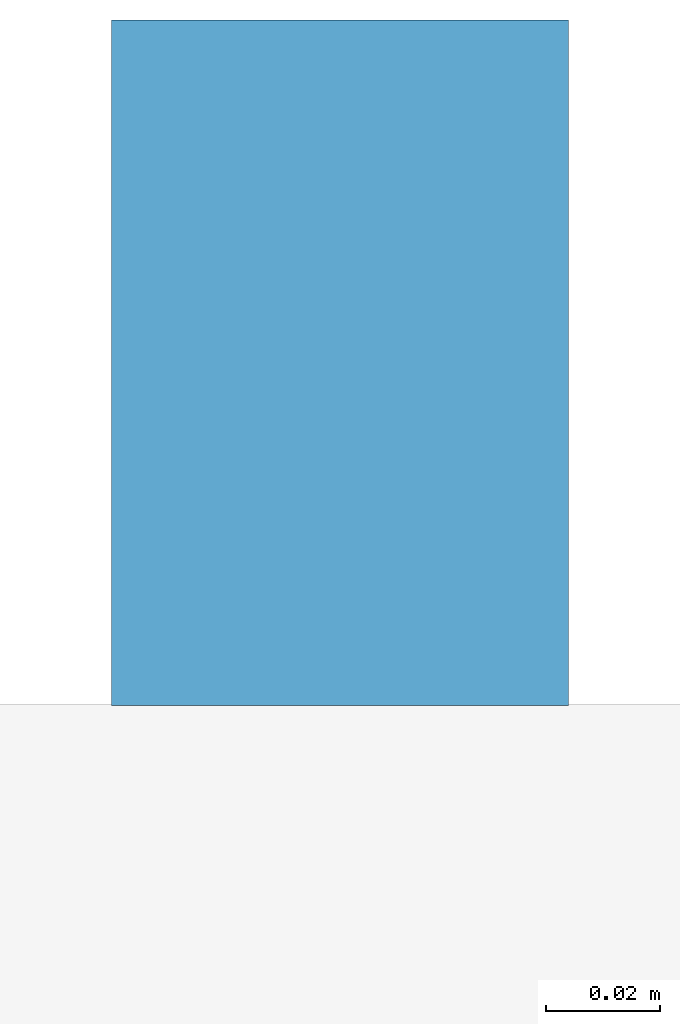
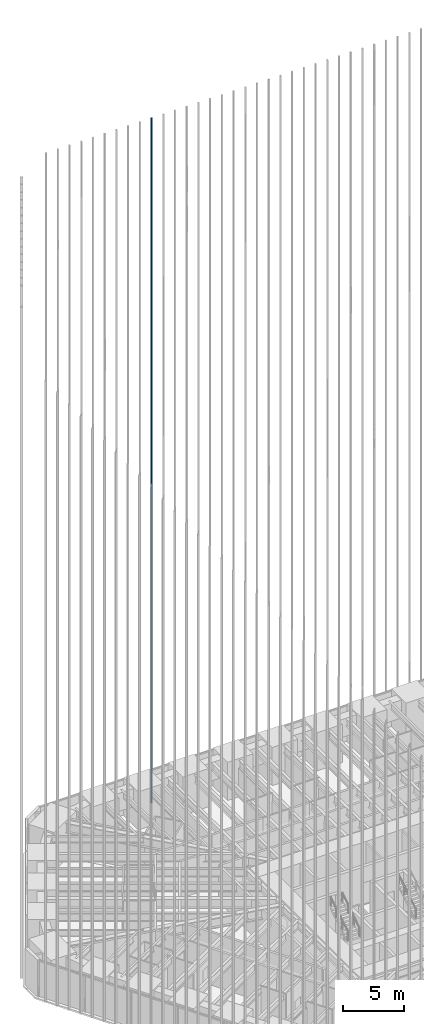
# One storey, part 178 of 256: 1 member, 1 element without a shape of its own.
"""IFC4 building model written with IfcOpenShell, lengths in metres."""

from ifc_helpers import new_model, si_unit, direction, frame, origin, origin_2d, place, context, subcontext, project, spatial, rectangle, extrude, material, material_profile, profile_set, type_object, element, aggregate, save


model = new_model("IFC4")

# Units and contexts
model_context = context("Model", 3, precision=1e-05, world=origin(), true_north=direction((0.0, 1.0)))
body_context = subcontext(model_context, "Body", "Model", "MODEL_VIEW")
ifc_project = project(units=[si_unit("LENGTHUNIT", "METRE"), si_unit("AREAUNIT", "SQUARE_METRE"), si_unit("VOLUMEUNIT", "CUBIC_METRE"), si_unit("PLANEANGLEUNIT", "RADIAN"), si_unit("MASSUNIT", "GRAM", prefix="KILO")], contexts=[model_context])

# Site, building, storey
site_placement = place(None, origin())
site = spatial("IfcSite", under=ifc_project, at=site_placement, CompositionType="ELEMENT")
building_placement = place(site_placement, origin())
building = spatial("IfcBuilding", under=site, at=building_placement, Name="Sandreach Pilgrim Tower", CompositionType="ELEMENT")
storey_placement = place(building_placement, frame((0.0, 0.0, 23.0)))
storey = spatial("IfcBuildingStorey", under=building, at=storey_placement, Name="L04", CompositionType="ELEMENT", Elevation=23.0)

# Curtain wall, member
ifc_material_1 = material(Name="Aluminium framed curtain wall", Category="aluminium")
curtain_wall_type = type_object("IfcCurtainWallType", Name="Hostel tower curtain wall", PredefinedType="NOTDEFINED", material=ifc_material_1)
curtain_wall_placement = place(storey_placement, origin())
curtain_wall = element("IfcCurtainWall", 1, at=curtain_wall_placement, inside=storey, type_object=curtain_wall_type, Name="CW-1 L04 N", PredefinedType="NOTDEFINED")
ifc_material_2 = material(Name="Extruded terracotta on aluminium core", Category="masonry")
ifc_material_profile = material_profile(ifc_material_2, rectangle(XDim=0.080078125, YDim=0.1201171875, at=origin_2d()), Name="TBN 80X120")
ifc_profile_set = profile_set([ifc_material_profile], Name="Extruded terracotta on aluminium core")
member_type = type_object("IfcMemberType", Name="Terracotta baguette north", PredefinedType="USERDEFINED", material=ifc_profile_set)
member_placement = place(storey_placement, frame((-8.83544921875, 24.30859375, 0.0), z_axis=(0.0, 0.0, 1.0), x_axis=(1.0, 0.0, 0.0)))
member = element("IfcMember", 2, at=member_placement, type_object=member_type, Name="Baguette Z1 N10", ObjectType="BAGUETTE", PredefinedType="USERDEFINED", context=body_context, shape_type="SweptSolid", body=[
    extrude(rectangle(XDim=0.080078125, YDim=0.1201171875, at=origin_2d()), origin(), (0.0, 0.0, 1.0), 68.239990234375),
])
aggregate(curtain_wall, [member])

save(model, "model.ifc")
